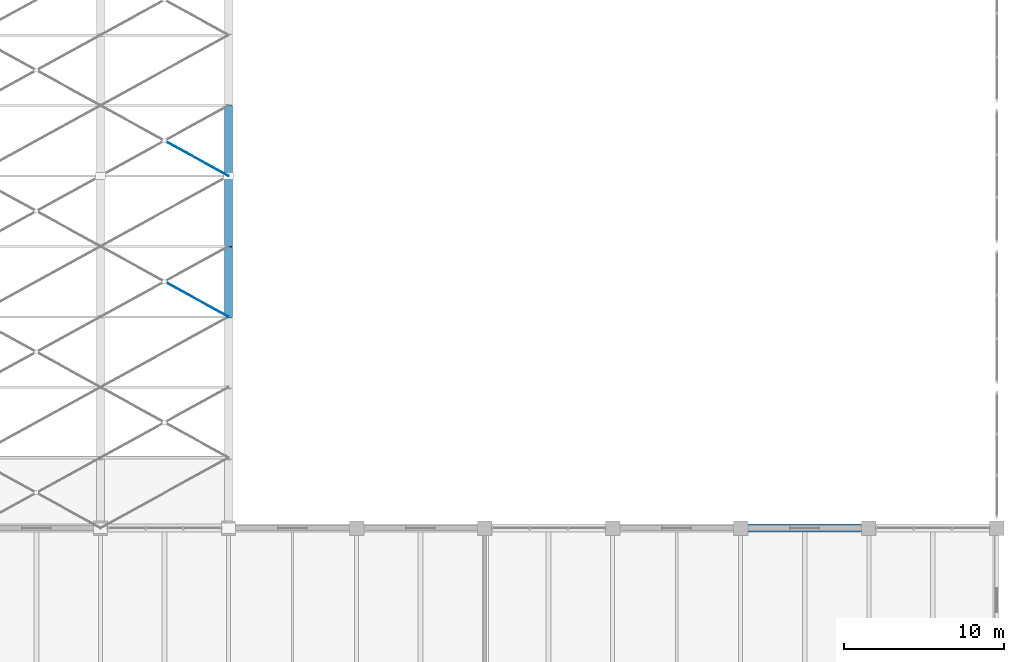
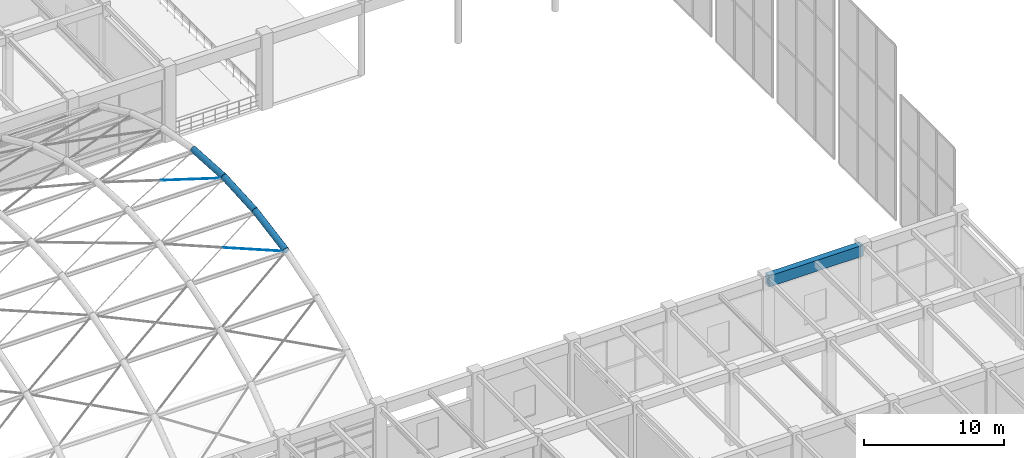
# One storey, part 102 of 163: 4 beams, 2 members.
"""IFC4 building model written with IfcOpenShell, lengths in metres."""

from ifc_helpers import new_model, si_unit, direction, frame, origin, origin_2d, place, context, subcontext, project, spatial, rectangle, circle, hollow_circle, extrude, material, material_profile, profile_set, type_object, element, save


model = new_model("IFC4")

# Units and contexts
model_context = context("Model", 3, precision=1e-05, world=origin(), true_north=direction((0.0, 1.0)))
body_context = subcontext(model_context, "Body", "Model", "MODEL_VIEW")
ifc_project = project(units=[si_unit("LENGTHUNIT", "METRE"), si_unit("AREAUNIT", "SQUARE_METRE"), si_unit("VOLUMEUNIT", "CUBIC_METRE"), si_unit("PLANEANGLEUNIT", "RADIAN"), si_unit("MASSUNIT", "GRAM", prefix="KILO")], contexts=[model_context])

# Site, building, storey
site_placement = place(None, origin())
site = spatial("IfcSite", under=ifc_project, at=site_placement, CompositionType="ELEMENT")
building_placement = place(site_placement, origin())
building = spatial("IfcBuilding", under=site, at=building_placement, Name="Varnabhumi Central Station", CompositionType="ELEMENT")
storey_placement = place(building_placement, frame((0.0, 0.0, 9.60009765625)))
storey = spatial("IfcBuildingStorey", under=building, at=storey_placement, Name="L02", CompositionType="ELEMENT", Elevation=9.60009765625)

# Beams
ifc_material_1 = material(Name="Structural steel E350", Category="steel")
ifc_material_profile_1 = material_profile(ifc_material_1, hollow_circle(Radius=0.25390625, WallThickness=0.02001953125, at=origin_2d()), Name="Structural steel E350", Category="steel")
ifc_profile_set_1 = profile_set([ifc_material_profile_1], Name="Structural steel E350")
beam_type_1 = type_object("IfcBeamType", Name="BM-ARCH-CHS508", PredefinedType="BEAM", material=ifc_profile_set_1)
beam_1_placement = place(storey_placement, frame((136.0, 49.199951171875, 11.68701171875), z_axis=(0.0, 0.983888247404, 0.17878455364), x_axis=(-1.0, 0.0, 0.0)))
element("IfcBeam", 1, at=beam_1_placement, inside=storey, type_object=beam_type_1, Name="Departure Concourse Vault Arch Rib 9 Seg 4", PredefinedType="BEAM", context=body_context, shape_type="SweptSolid", body=[
    extrude(hollow_circle(Radius=0.25390625, WallThickness=0.02001953125, at=origin_2d()), origin(), (0.0, 0.0, 1.0), 4.47216796875),
])
for number, where, z_axis, x_axis, name in (
    (2, (136.0, 53.60009765625, 12.486572265625), (0.0, 0.998212519684, 0.059764249736), (-1.0, 0.0, 0.0), "Departure Concourse Vault Arch Rib 9 Seg 5"),
    (3, (136.0, 58.0, 12.75), (0.0, 0.998212519684, -0.059764249736), (-1.0, 0.0, 0.0), "Departure Concourse Vault Arch Rib 9 Seg 6"),
):
    element("IfcBeam", number, at=place(storey_placement, frame(where, z_axis=z_axis, x_axis=x_axis)), inside=storey, type_object=beam_type_1, Name=name, PredefinedType="BEAM", context=body_context, shape_type="SweptSolid", body=[
        extrude(hollow_circle(Radius=0.25390625, WallThickness=0.02001953125, at=origin_2d()), origin(), (0.0, 0.0, 1.0), 4.40771484375),
    ])
ifc_material_2 = material(Name="Concrete M40", Category="concrete")
ifc_material_profile_2 = material_profile(ifc_material_2, rectangle(XDim=0.5, YDim=0.949951171875, at=origin_2d()), Name="Concrete M40", Category="concrete")
ifc_profile_set_2 = profile_set([ifc_material_profile_2], Name="Concrete M40")
beam_type_2 = type_object("IfcBeamType", Name="BM-RC-950x500", PredefinedType="BEAM", material=ifc_profile_set_2)
beam_2_placement = place(storey_placement, frame((168.10009765625, 36.0, 5.875), z_axis=(1.0, 0.0, 0.0), x_axis=(0.0, 1.0, 0.0)))
element("IfcBeam", 4, at=beam_2_placement, inside=storey, type_object=beam_type_2, Name="Beam L02-E:22-23", PredefinedType="BEAM", context=body_context, shape_type="SweptSolid", body=[
    extrude(rectangle(XDim=0.5, YDim=0.949951171875, at=origin_2d()), origin(), (0.0, 0.0, 1.0), 7.7998046875),
])

# Members
ifc_material_3 = material(Name="Spiral-strand steel S1570", Category="steel")
ifc_material_profile_3 = material_profile(ifc_material_3, circle(Radius=0.027099609375, at=origin_2d()), Name="Spiral-strand steel S1570", Category="steel")
ifc_profile_set_3 = profile_set([ifc_material_profile_3], Name="Spiral-strand steel S1570")
member_type = type_object("IfcMemberType", Name="MBR-CABLE-D54", PredefinedType="USERDEFINED", material=ifc_profile_set_3)
member_1_placement = place(storey_placement, frame((132.0, 51.39990234375, 12.0068359375), z_axis=(0.872877649429, -0.480072051941, -0.087266454453), x_axis=(0.481910537812, 0.876220425204, 0.0)))
element("IfcMember", 5, at=member_1_placement, inside=storey, type_object=member_type, Name="Departure Concourse Vault Cable-Net Split Tie B8-P4B2", ObjectType="TENSION CABLE", PredefinedType="USERDEFINED", context=body_context, shape_type="SweptSolid", body=[
    extrude(circle(Radius=0.027099609375, at=origin_2d()), origin(), (0.0, 0.0, 1.0), 4.58251953125),
])
member_2_placement = place(storey_placement, frame((132.0, 60.199951171875, 12.5380859375), z_axis=(0.875855262672, -0.481709702877, 0.028867299917), x_axis=(0.481910537812, 0.876220425204, 0.0)))
element("IfcMember", 6, at=member_2_placement, inside=storey, type_object=member_type, Name="Departure Concourse Vault Cable-Net Split Tie B8-P6B2", ObjectType="TENSION CABLE", PredefinedType="USERDEFINED", context=body_context, shape_type="SweptSolid", body=[
    extrude(circle(Radius=0.027099609375, at=origin_2d()), origin(), (0.0, 0.0, 1.0), 4.56689453125),
])

save(model, "model.ifc")
